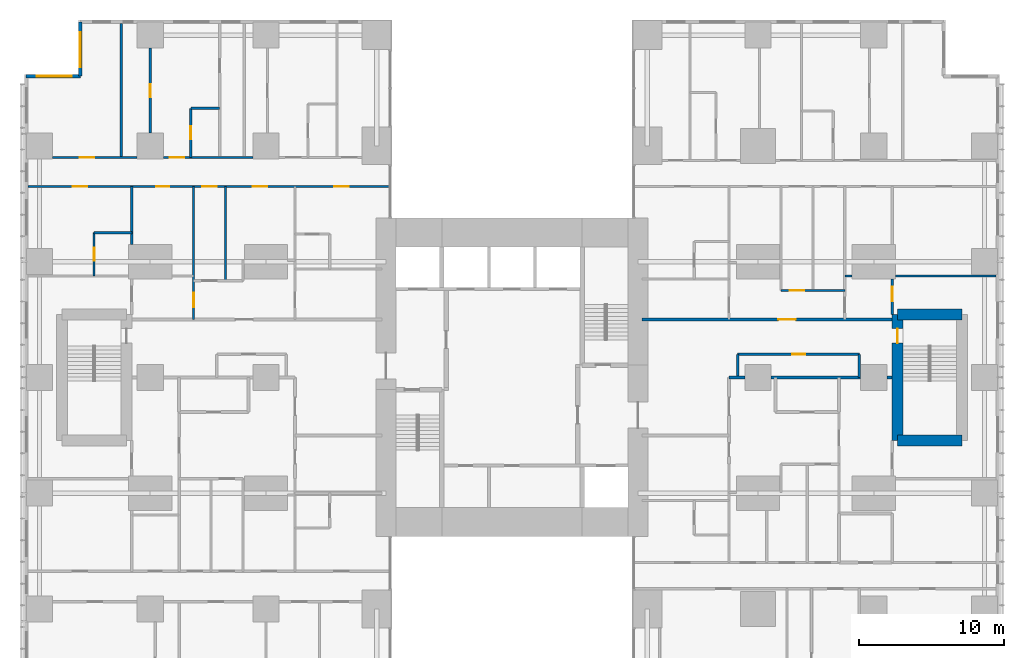
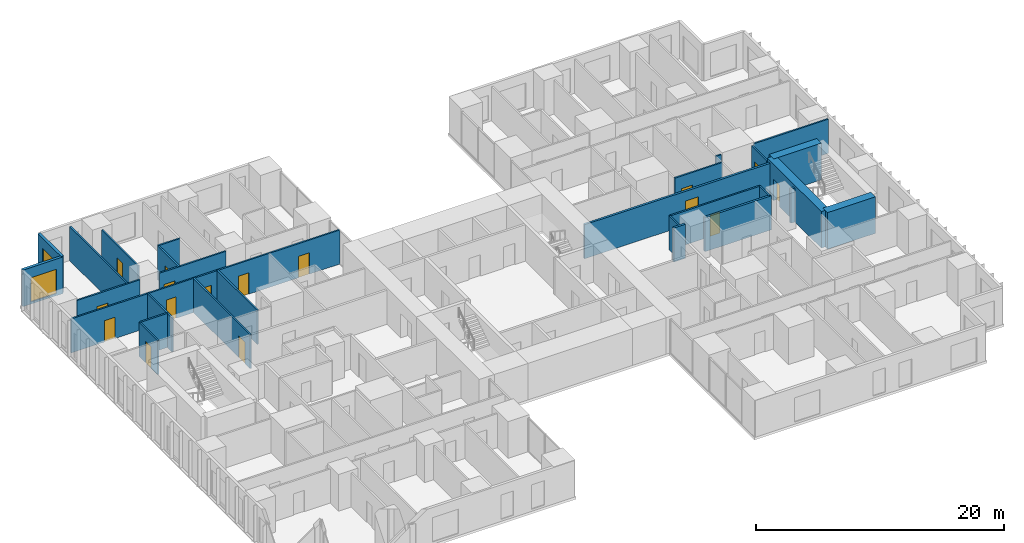
# One storey, part 16 of 20: 28 walls, 16 doors, 2 windows, 18 openings.
"""IFC4 building model written with IfcOpenShell, lengths in metres."""

from ifc_helpers import new_model, si_unit, direction, frame, frame_2d, origin, place, context, subcontext, project, spatial, rectangle, extrude, material, layer, layer_set, type_object, element, fill, save


model = new_model("IFC4")

# Units and contexts
model_context = context("Model", 3, precision=1e-05, world=origin(), true_north=direction((0.0, 1.0)))
body_context = subcontext(model_context, "Body", "Model", "MODEL_VIEW")
ifc_project = project(units=[si_unit("LENGTHUNIT", "METRE"), si_unit("AREAUNIT", "SQUARE_METRE"), si_unit("VOLUMEUNIT", "CUBIC_METRE"), si_unit("PLANEANGLEUNIT", "RADIAN"), si_unit("MASSUNIT", "GRAM", prefix="KILO")], contexts=[model_context])

# Site, building, storey
site_placement = place(None, origin())
site = spatial("IfcSite", under=ifc_project, at=site_placement, CompositionType="ELEMENT")
building_placement = place(site_placement, origin())
building = spatial("IfcBuilding", under=site, at=building_placement, Name="Cleftline Residences", CompositionType="ELEMENT")
storey_placement = place(building_placement, frame((0.0, 0.0, 207.39990234375)))
storey = spatial("IfcBuildingStorey", under=building, at=storey_placement, Name="L54", CompositionType="ELEMENT", Elevation=207.39990234375)

# Wall, opening, window
ifc_material_1 = material(Name="Rendered reinforced concrete blockwork", Category="masonry")
ifc_layer_1 = layer(ifc_material_1, 0.25)
ifc_layer_set_1 = layer_set([ifc_layer_1], Name="EXTERNAL WALL 250")
wall_type_1 = type_object("IfcWallType", Name="EXTERNAL WALL 250", PredefinedType="SOLIDWALL", material=ifc_layer_set_1)
wall_1_placement = place(storey_placement, frame((3.175048828125, 48.574951171875, 0.0), z_axis=(0.0, 0.0, 1.0), x_axis=(0.0, -1.0, 0.0)))
wall_1 = element("IfcWall", 1, at=wall_1_placement, inside=storey, type_object=wall_type_1, Name="External wall", PredefinedType="SOLIDWALL", context=body_context, shape_type="SweptSolid", body=[
    extrude(rectangle(XDim=3.75, YDim=0.25, at=frame_2d((1.875, 0.0))), origin(), (0.0, 0.0, 1.0), 3.60009765625),
])
opening_1_placement = place(wall_1_placement, frame((0.737548828125, 0.0, 0.199951171875)))
opening_1 = element("IfcOpeningElement", 2, at=opening_1_placement, cuts=wall_1, Name="Opening W9", PredefinedType="OPENING", context=body_context, shape_type="SweptSolid", body=[
    extrude(rectangle(XDim=2.39990234375, YDim=2.39990234375, at=frame_2d((1.199951171875, 1.199951171875))), frame((0.0, 0.135009765625, 0.0), z_axis=(0.0, -1.0, 0.0), x_axis=(1.0, 0.0, 0.0)), (0.0, 0.0, 1.0), 0.27001953125),
])
ifc_material_2 = material(Name="Aluminium frame, clear double glazing", Category="aluminium")
window_type = type_object("IfcWindowType", Name="WINDOW 2400X2400", PartitioningType="DOUBLE_PANEL_VERTICAL", PredefinedType="WINDOW", material=ifc_material_2)
window_1_placement = place(opening_1_placement, origin())
window_1 = element("IfcWindow", 3, at=window_1_placement, inside=storey, type_object=window_type, Name="Window", OverallHeight=2.39990234375, OverallWidth=2.39990234375, PartitioningType="SINGLE_PANEL", PredefinedType="WINDOW", context=body_context, shape_type="SweptSolid", body=[
    extrude(rectangle(XDim=2.39990234375, YDim=2.39990234375, at=frame_2d((1.199951171875, 1.199951171875))), frame((0.0, 0.030029296875, 0.0), z_axis=(0.0, -1.0, 0.0), x_axis=(1.0, 0.0, 0.0)), (0.0, 0.0, 1.0), 0.06005859375),
])
fill(opening_1, window_1)

wall_2_placement = place(storey_placement, frame((3.175048828125, 44.824951171875, 0.0), z_axis=(0.0, 0.0, 1.0), x_axis=(-1.0, 0.0, 0.0)))
wall_2 = element("IfcWall", 4, at=wall_2_placement, inside=storey, type_object=wall_type_1, Name="External wall", PredefinedType="SOLIDWALL", context=body_context, shape_type="SweptSolid", body=[
    extrude(rectangle(XDim=3.75, YDim=0.25, at=frame_2d((1.875, 0.0))), origin(), (0.0, 0.0, 1.0), 3.60009765625),
])
opening_2_placement = place(wall_2_placement, frame((0.612548828125, 0.0, 0.199951171875)))
opening_2 = element("IfcOpeningElement", 5, at=opening_2_placement, cuts=wall_2, Name="Opening W9", PredefinedType="OPENING", context=body_context, shape_type="SweptSolid", body=[
    extrude(rectangle(XDim=2.39990234375, YDim=2.39990234375, at=frame_2d((1.199951171875, 1.199951171875))), frame((0.0, 0.135009765625, 0.0), z_axis=(0.0, -1.0, 0.0), x_axis=(1.0, 0.0, 0.0)), (0.0, 0.0, 1.0), 0.27001953125),
])
window_2_placement = place(opening_2_placement, origin())
window_2 = element("IfcWindow", 6, at=window_2_placement, inside=storey, type_object=window_type, Name="Window", OverallHeight=2.39990234375, OverallWidth=2.39990234375, PartitioningType="SINGLE_PANEL", PredefinedType="WINDOW", context=body_context, shape_type="SweptSolid", body=[
    extrude(rectangle(XDim=2.39990234375, YDim=2.39990234375, at=frame_2d((1.199951171875, 1.199951171875))), frame((0.0, 0.030029296875, 0.0), z_axis=(0.0, -1.0, 0.0), x_axis=(1.0, 0.0, 0.0)), (0.0, 0.0, 1.0), 0.06005859375),
])
fill(opening_2, window_2)

# Walls
ifc_material_3 = material(Name="Concrete blockwork, fire rated", Category="masonry")
ifc_layer_2 = layer(ifc_material_3, 0.199951171875)
ifc_layer_set_2 = layer_set([ifc_layer_2], Name="FIRE WALL 200")
wall_type_2 = type_object("IfcWallType", Name="FIRE WALL 200", PredefinedType="PARTITIONING", material=ifc_layer_set_2)
wall_3_placement = place(storey_placement, frame((48.0, 24.0, 0.0), z_axis=(0.0, 0.0, 1.0), x_axis=(1.0, 0.0, 0.0)))
element("IfcWall", 7, at=wall_3_placement, inside=storey, type_object=wall_type_2, Name="Fire separating wall", PredefinedType="PARTITIONING", context=body_context, shape_type="SweptSolid", body=[
    extrude(rectangle(XDim=1.10009765625, YDim=0.199951171875, at=frame_2d((0.550048828125, 0.0))), origin(), (0.0, 0.0, 1.0), 3.35009765625),
])
wall_4_placement = place(storey_placement, frame((50.89990234375, 24.0, 0.0), z_axis=(0.0, 0.0, 1.0), x_axis=(1.0, 0.0, 0.0)))
element("IfcWall", 8, at=wall_4_placement, inside=storey, type_object=wall_type_2, Name="Fire separating wall", PredefinedType="PARTITIONING", context=body_context, shape_type="SweptSolid", body=[
    extrude(rectangle(XDim=6.2001953125, YDim=0.199951171875, at=frame_2d((3.10009765625, 0.0))), origin(), (0.0, 0.0, 1.0), 3.35009765625),
])
wall_5_placement = place(storey_placement, frame((58.89990234375, 24.0, 0.0), z_axis=(0.0, 0.0, 1.0), x_axis=(1.0, 0.0, 0.0)))
element("IfcWall", 9, at=wall_5_placement, inside=storey, type_object=wall_type_2, Name="Fire separating wall", PredefinedType="PARTITIONING", context=body_context, shape_type="SweptSolid", body=[
    extrude(rectangle(XDim=0.375, YDim=0.199951171875, at=frame_2d((0.1875, 0.0))), origin(), (0.0, 0.0, 1.0), 3.35009765625),
])

# Wall, opening, door
wall_6_placement = place(storey_placement, frame((42.0, 28.0, 0.0), z_axis=(0.0, 0.0, 1.0), x_axis=(1.0, 0.0, 0.0)))
wall_6 = element("IfcWall", 10, at=wall_6_placement, inside=storey, type_object=wall_type_2, Name="Fire separating wall", PredefinedType="PARTITIONING", context=body_context, shape_type="SweptSolid", body=[
    extrude(rectangle(XDim=17.27490234375, YDim=0.199951171875, at=frame_2d((8.637451171875, 0.0))), origin(), (0.0, 0.0, 1.0), 3.35009765625),
])
opening_3_placement = place(wall_6_placement, frame((9.39990234375, 0.0, 0.0)))
opening_3 = element("IfcOpeningElement", 11, at=opening_3_placement, cuts=wall_6, Name="Opening D4", PredefinedType="OPENING", context=body_context, shape_type="SweptSolid", body=[
    extrude(rectangle(XDim=1.199951171875, YDim=2.39990234375, at=frame_2d((0.60009765625, 1.199951171875))), frame((0.0, 0.10986328125, 0.0), z_axis=(0.0, -1.0, 0.0), x_axis=(1.0, 0.0, 0.0)), (0.0, 0.0, 1.0), 0.219970703125),
])
ifc_material_4 = material(Name="Timber veneer on solid core", Category="wood")
door_type_1 = type_object("IfcDoorType", Name="APARTMENT ENTRANCE DOOR 1200X2400", OperationType="SINGLE_SWING_RIGHT", PredefinedType="DOOR", material=ifc_material_4)
door_1_placement = place(opening_3_placement, origin())
door_1 = element("IfcDoor", 12, at=door_1_placement, inside=storey, type_object=door_type_1, Name="Door to residence entrance (gallery)", OperationType="SINGLE_SWING_LEFT", OverallHeight=2.39990234375, OverallWidth=1.199951171875, PredefinedType="DOOR", context=body_context, shape_type="SweptSolid", body=[
    extrude(rectangle(XDim=1.199951171875, YDim=2.39990234375, at=frame_2d((0.60009765625, 1.199951171875))), frame((0.0, 0.02490234375, 0.0), z_axis=(0.0, -1.0, 0.0), x_axis=(1.0, 0.0, 0.0)), (0.0, 0.0, 1.0), 0.050048828125),
])
fill(opening_3, door_1)

ifc_material_5 = material(Name="Gypsum board on steel studs", Category="steel")
ifc_layer_3 = layer(ifc_material_5, 0.14990234375)
ifc_layer_set_3 = layer_set([ifc_layer_3], Name="PARTITION 150")
wall_type_3 = type_object("IfcWallType", Name="PARTITION 150", PredefinedType="PARTITIONING", material=ifc_layer_set_3)
wall_7_placement = place(storey_placement, frame((48.60009765625, 25.60009765625, 0.0), z_axis=(0.0, 0.0, 1.0), x_axis=(1.0, 0.0, 0.0)))
wall_7 = element("IfcWall", 13, at=wall_7_placement, inside=storey, type_object=wall_type_3, Name="Partition", PredefinedType="PARTITIONING", context=body_context, shape_type="SweptSolid", body=[
    extrude(rectangle(XDim=8.39990234375, YDim=0.14990234375, at=frame_2d((4.199951171875, 0.0))), origin(), (0.0, 0.0, 1.0), 3.35009765625),
])
opening_4_placement = place(wall_7_placement, frame((3.75, 0.0, 0.0)))
opening_4 = element("IfcOpeningElement", 14, at=opening_4_placement, cuts=wall_7, Name="Opening D1", PredefinedType="OPENING", context=body_context, shape_type="SweptSolid", body=[
    extrude(rectangle(XDim=0.89990234375, YDim=2.10009765625, at=frame_2d((0.449951171875, 1.050048828125))), frame((0.0, 0.0849609375, 0.0), z_axis=(0.0, -1.0, 0.0), x_axis=(1.0, 0.0, 0.0)), (0.0, 0.0, 1.0), 0.169921875),
])
ifc_material_6 = material(Name="Timber veneer on solid core", Category="wood")
door_type_2 = type_object("IfcDoorType", Name="DOOR 900X2100", OperationType="SINGLE_SWING_LEFT", PredefinedType="DOOR", material=ifc_material_6)
door_2_placement = place(opening_4_placement, origin())
door_2 = element("IfcDoor", 15, at=door_2_placement, inside=storey, type_object=door_type_2, Name="Door to residents' locker room", OperationType="SINGLE_SWING_LEFT", OverallHeight=2.10009765625, OverallWidth=0.89990234375, PredefinedType="DOOR", context=body_context, shape_type="SweptSolid", body=[
    extrude(rectangle(XDim=0.89990234375, YDim=2.10009765625, at=frame_2d((0.449951171875, 1.050048828125))), frame((0.0, 0.02490234375, 0.0), z_axis=(0.0, -1.0, 0.0), x_axis=(1.0, 0.0, 0.0)), (0.0, 0.0, 1.0), 0.050048828125),
])
fill(opening_4, door_2)

wall_8_placement = place(storey_placement, frame((51.60009765625, 30.0, 0.0), z_axis=(0.0, 0.0, 1.0), x_axis=(1.0, 0.0, 0.0)))
wall_8 = element("IfcWall", 16, at=wall_8_placement, inside=storey, type_object=wall_type_3, Name="Partition", PredefinedType="PARTITIONING", context=body_context, shape_type="SweptSolid", body=[
    extrude(rectangle(XDim=4.39990234375, YDim=0.14990234375, at=frame_2d((2.199951171875, 0.0))), origin(), (0.0, 0.0, 1.0), 3.35009765625),
])
opening_5_placement = place(wall_8_placement, frame((0.60009765625, 0.0, 0.0)))
opening_5 = element("IfcOpeningElement", 17, at=opening_5_placement, cuts=wall_8, Name="Opening D2", PredefinedType="OPENING", context=body_context, shape_type="SweptSolid", body=[
    extrude(rectangle(XDim=1.0, YDim=2.10009765625, at=frame_2d((0.5, 1.050048828125))), frame((0.0, 0.0849609375, 0.0), z_axis=(0.0, -1.0, 0.0), x_axis=(1.0, 0.0, 0.0)), (0.0, 0.0, 1.0), 0.169921875),
])
ifc_material_7 = material(Name="Timber veneer on solid core", Category="wood")
door_type_3 = type_object("IfcDoorType", Name="DOOR 1000X2100", OperationType="SINGLE_SWING_LEFT", PredefinedType="DOOR", material=ifc_material_7)
door_3_placement = place(opening_5_placement, origin())
door_3 = element("IfcDoor", 18, at=door_3_placement, inside=storey, type_object=door_type_3, Name="Door to residence passage", OperationType="SINGLE_SWING_RIGHT", OverallHeight=2.10009765625, OverallWidth=1.0, PredefinedType="DOOR", context=body_context, shape_type="SweptSolid", body=[
    extrude(rectangle(XDim=1.0, YDim=2.10009765625, at=frame_2d((0.5, 1.050048828125))), frame((0.0, 0.02490234375, 0.0), z_axis=(0.0, -1.0, 0.0), x_axis=(1.0, 0.0, 0.0)), (0.0, 0.0, 1.0), 0.050048828125),
])
fill(opening_5, door_3)

# Walls
wall_9_placement = place(storey_placement, frame((56.0, 31.0, 0.0), z_axis=(0.0, 0.0, 1.0), x_axis=(1.0, 0.0, 0.0)))
element("IfcWall", 19, at=wall_9_placement, inside=storey, type_object=wall_type_3, Name="Partition", PredefinedType="PARTITIONING", context=body_context, shape_type="SweptSolid", body=[
    extrude(rectangle(XDim=0.5, YDim=0.14990234375, at=frame_2d((0.25, 0.0))), origin(), (0.0, 0.0, 1.0), 3.35009765625),
])
wall_10_placement = place(storey_placement, frame((59.5, 31.0, 0.0), z_axis=(0.0, 0.0, 1.0), x_axis=(1.0, 0.0, 0.0)))
element("IfcWall", 20, at=wall_10_placement, inside=storey, type_object=wall_type_3, Name="Partition", PredefinedType="PARTITIONING", context=body_context, shape_type="SweptSolid", body=[
    extrude(rectangle(XDim=6.949951171875, YDim=0.14990234375, at=frame_2d((3.47509765625, 0.0))), origin(), (0.0, 0.0, 1.0), 3.35009765625),
])
wall_11_placement = place(storey_placement, frame((4.125, 34.0, 0.0), z_axis=(0.0, 0.0, 1.0), x_axis=(1.0, 0.0, 0.0)))
element("IfcWall", 21, at=wall_11_placement, inside=storey, type_object=wall_type_3, Name="Partition", PredefinedType="PARTITIONING", context=body_context, shape_type="SweptSolid", body=[
    extrude(rectangle(XDim=2.60009765625, YDim=0.14990234375, at=frame_2d((1.300048828125, 0.0))), origin(), (0.0, 0.0, 1.0), 3.35009765625),
])

# Wall, openings, doors
wall_12_placement = place(storey_placement, frame((-0.449951171875, 37.199951171875, 0.0), z_axis=(0.0, 0.0, 1.0), x_axis=(1.0, 0.0, 0.0)))
wall_12 = element("IfcWall", 22, at=wall_12_placement, inside=storey, type_object=wall_type_3, Name="Partition", PredefinedType="PARTITIONING", context=body_context, shape_type="SweptSolid", body=[
    extrude(rectangle(XDim=25.010986328125, YDim=0.14990234375, at=frame_2d((12.50537109375, 0.0))), origin(), (0.0, 0.0, 1.0), 3.35009765625),
])
opening_6_placement = place(wall_12_placement, frame((12.050048828125, 0.0, 0.0)))
opening_6 = element("IfcOpeningElement", 23, at=opening_6_placement, cuts=wall_12, Name="Opening D2F30", PredefinedType="OPENING", context=body_context, shape_type="SweptSolid", body=[
    extrude(rectangle(XDim=1.0, YDim=2.10009765625, at=frame_2d((0.5, 1.050048828125))), frame((0.0, 0.0849609375, 0.0), z_axis=(0.0, -1.0, 0.0), x_axis=(1.0, 0.0, 0.0)), (0.0, 0.0, 1.0), 0.169921875),
])
opening_7_placement = place(wall_12_placement, frame((3.08740234375, 0.0, 0.0)))
opening_7 = element("IfcOpeningElement", 24, at=opening_7_placement, cuts=wall_12, Name="Opening D2F30", PredefinedType="OPENING", context=body_context, shape_type="SweptSolid", body=[
    extrude(rectangle(XDim=1.0, YDim=2.10009765625, at=frame_2d((0.5, 1.050048828125))), frame((0.0, 0.0849609375, 0.0), z_axis=(0.0, -1.0, 0.0), x_axis=(1.0, 0.0, 0.0)), (0.0, 0.0, 1.0), 0.169921875),
])
opening_8_placement = place(wall_12_placement, frame((8.862548828125, 0.0, 0.0)))
opening_8 = element("IfcOpeningElement", 25, at=opening_8_placement, cuts=wall_12, Name="Opening D1F30", PredefinedType="OPENING", context=body_context, shape_type="SweptSolid", body=[
    extrude(rectangle(XDim=0.89990234375, YDim=2.10009765625, at=frame_2d((0.449951171875, 1.050048828125))), frame((0.0, 0.0849609375, 0.0), z_axis=(0.0, -1.0, 0.0), x_axis=(1.0, 0.0, 0.0)), (0.0, 0.0, 1.0), 0.169921875),
])
opening_9_placement = place(wall_12_placement, frame((15.550048828125, 0.0, 0.0)))
opening_9 = element("IfcOpeningElement", 26, at=opening_9_placement, cuts=wall_12, Name="Opening D2F30", PredefinedType="OPENING", context=body_context, shape_type="SweptSolid", body=[
    extrude(rectangle(XDim=1.0, YDim=2.10009765625, at=frame_2d((0.5, 1.050048828125))), frame((0.0, 0.0849609375, 0.0), z_axis=(0.0, -1.0, 0.0), x_axis=(1.0, 0.0, 0.0)), (0.0, 0.0, 1.0), 0.169921875),
])
opening_10_placement = place(wall_12_placement, frame((21.175048828125, 0.0, 0.0)))
opening_10 = element("IfcOpeningElement", 27, at=opening_10_placement, cuts=wall_12, Name="Opening D2F30", PredefinedType="OPENING", context=body_context, shape_type="SweptSolid", body=[
    extrude(rectangle(XDim=1.0, YDim=2.10009765625, at=frame_2d((0.5, 1.050048828125))), frame((0.0, 0.0849609375, 0.0), z_axis=(0.0, -1.0, 0.0), x_axis=(1.0, 0.0, 0.0)), (0.0, 0.0, 1.0), 0.169921875),
])
ifc_material_8 = material(Name="Timber veneer on solid core", Category="wood")
door_type_4 = type_object("IfcDoorType", Name="DOOR 1000X2100 EI 30", OperationType="SINGLE_SWING_LEFT", PredefinedType="DOOR", material=ifc_material_8)
door_4_placement = place(opening_6_placement, origin())
door_4 = element("IfcDoor", 28, at=door_4_placement, inside=storey, type_object=door_type_4, Name="Door to residence corridor (bedrooms)", OperationType="SINGLE_SWING_LEFT", OverallHeight=2.10009765625, OverallWidth=1.0, PredefinedType="DOOR", context=body_context, shape_type="SweptSolid", body=[
    extrude(rectangle(XDim=1.0, YDim=2.10009765625, at=frame_2d((0.5, 1.050048828125))), frame((0.0, 0.02490234375, 0.0), z_axis=(0.0, -1.0, 0.0), x_axis=(1.0, 0.0, 0.0)), (0.0, 0.0, 1.0), 0.050048828125),
])
fill(opening_6, door_4)
door_5_placement = place(opening_7_placement, origin())
door_5 = element("IfcDoor", 29, at=door_5_placement, inside=storey, type_object=door_type_4, Name="Door to master bedroom", OperationType="SINGLE_SWING_RIGHT", OverallHeight=2.10009765625, OverallWidth=1.0, PredefinedType="DOOR", context=body_context, shape_type="SweptSolid", body=[
    extrude(rectangle(XDim=1.0, YDim=2.10009765625, at=frame_2d((0.5, 1.050048828125))), frame((0.0, 0.02490234375, 0.0), z_axis=(0.0, -1.0, 0.0), x_axis=(1.0, 0.0, 0.0)), (0.0, 0.0, 1.0), 0.050048828125),
])
fill(opening_7, door_5)
door_6_placement = place(opening_9_placement, origin())
door_6 = element("IfcDoor", 30, at=door_6_placement, inside=storey, type_object=door_type_4, Name="Door to family room", OperationType="SINGLE_SWING_LEFT", OverallHeight=2.10009765625, OverallWidth=1.0, PredefinedType="DOOR", context=body_context, shape_type="SweptSolid", body=[
    extrude(rectangle(XDim=1.0, YDim=2.10009765625, at=frame_2d((0.5, 1.050048828125))), frame((0.0, 0.02490234375, 0.0), z_axis=(0.0, -1.0, 0.0), x_axis=(1.0, 0.0, 0.0)), (0.0, 0.0, 1.0), 0.050048828125),
])
fill(opening_9, door_6)
door_7_placement = place(opening_10_placement, origin())
door_7 = element("IfcDoor", 31, at=door_7_placement, inside=storey, type_object=door_type_4, Name="Door to staff bedroom", OperationType="SINGLE_SWING_LEFT", OverallHeight=2.10009765625, OverallWidth=1.0, PredefinedType="DOOR", context=body_context, shape_type="SweptSolid", body=[
    extrude(rectangle(XDim=1.0, YDim=2.10009765625, at=frame_2d((0.5, 1.050048828125))), frame((0.0, 0.02490234375, 0.0), z_axis=(0.0, -1.0, 0.0), x_axis=(1.0, 0.0, 0.0)), (0.0, 0.0, 1.0), 0.050048828125),
])
fill(opening_10, door_7)
ifc_material_9 = material(Name="Timber veneer on solid core", Category="wood")
door_type_5 = type_object("IfcDoorType", Name="DOOR 900X2100 EI 30", OperationType="SINGLE_SWING_LEFT", PredefinedType="DOOR", material=ifc_material_9)
door_8_placement = place(opening_8_placement, origin())
door_8 = element("IfcDoor", 32, at=door_8_placement, inside=storey, type_object=door_type_5, Name="Door to guest bathroom", OperationType="SINGLE_SWING_RIGHT", OverallHeight=2.10009765625, OverallWidth=0.89990234375, PredefinedType="DOOR", context=body_context, shape_type="SweptSolid", body=[
    extrude(rectangle(XDim=0.89990234375, YDim=2.10009765625, at=frame_2d((0.449951171875, 1.050048828125))), frame((0.0, 0.02490234375, 0.0), z_axis=(0.0, -1.0, 0.0), x_axis=(1.0, 0.0, 0.0)), (0.0, 0.0, 1.0), 0.050048828125),
])
fill(opening_8, door_8)

# Wall, opening, door
wall_13_placement = place(storey_placement, frame((1.25, 39.199951171875, 0.0), z_axis=(0.0, 0.0, 1.0), x_axis=(1.0, 0.0, 0.0)))
wall_13 = element("IfcWall", 33, at=wall_13_placement, inside=storey, type_object=wall_type_3, Name="Partition", PredefinedType="PARTITIONING", context=body_context, shape_type="SweptSolid", body=[
    extrude(rectangle(XDim=5.85009765625, YDim=0.14990234375, at=frame_2d((2.925048828125, 0.0))), origin(), (0.0, 0.0, 1.0), 3.35009765625),
])
opening_11_placement = place(wall_13_placement, frame((1.875, 0.0, 0.0)))
opening_11 = element("IfcOpeningElement", 34, at=opening_11_placement, cuts=wall_13, Name="Opening D2", PredefinedType="OPENING", context=body_context, shape_type="SweptSolid", body=[
    extrude(rectangle(XDim=1.0, YDim=2.10009765625, at=frame_2d((0.5, 1.050048828125))), frame((0.0, 0.0849609375, 0.0), z_axis=(0.0, -1.0, 0.0), x_axis=(1.0, 0.0, 0.0)), (0.0, 0.0, 1.0), 0.169921875),
])
door_9_placement = place(opening_11_placement, origin())
door_9 = element("IfcDoor", 35, at=door_9_placement, inside=storey, type_object=door_type_3, Name="Door to gym", OperationType="SINGLE_SWING_RIGHT", OverallHeight=2.10009765625, OverallWidth=1.0, PredefinedType="DOOR", context=body_context, shape_type="SweptSolid", body=[
    extrude(rectangle(XDim=1.0, YDim=2.10009765625, at=frame_2d((0.5, 1.050048828125))), frame((0.0, 0.02490234375, 0.0), z_axis=(0.0, -1.0, 0.0), x_axis=(1.0, 0.0, 0.0)), (0.0, 0.0, 1.0), 0.050048828125),
])
fill(opening_11, door_9)

wall_14_placement = place(storey_placement, frame((8.89990234375, 39.199951171875, 0.0), z_axis=(0.0, 0.0, 1.0), x_axis=(1.0, 0.0, 0.0)))
wall_14 = element("IfcWall", 36, at=wall_14_placement, inside=storey, type_object=wall_type_3, Name="Partition", PredefinedType="PARTITIONING", context=body_context, shape_type="SweptSolid", body=[
    extrude(rectangle(XDim=6.2001953125, YDim=0.14990234375, at=frame_2d((3.10009765625, 0.0))), origin(), (0.0, 0.0, 1.0), 3.35009765625),
])
opening_12_placement = place(wall_14_placement, frame((0.449951171875, 0.0, 0.0)))
opening_12 = element("IfcOpeningElement", 37, at=opening_12_placement, cuts=wall_14, Name="Opening D2", PredefinedType="OPENING", context=body_context, shape_type="SweptSolid", body=[
    extrude(rectangle(XDim=1.0, YDim=2.10009765625, at=frame_2d((0.5, 1.050048828125))), frame((0.0, 0.0849609375, 0.0), z_axis=(0.0, -1.0, 0.0), x_axis=(1.0, 0.0, 0.0)), (0.0, 0.0, 1.0), 0.169921875),
])
door_10_placement = place(opening_12_placement, origin())
door_10 = element("IfcDoor", 38, at=door_10_placement, inside=storey, type_object=door_type_3, Name="Door to bedroom 2", OperationType="SINGLE_SWING_RIGHT", OverallHeight=2.10009765625, OverallWidth=1.0, PredefinedType="DOOR", context=body_context, shape_type="SweptSolid", body=[
    extrude(rectangle(XDim=1.0, YDim=2.10009765625, at=frame_2d((0.5, 1.050048828125))), frame((0.0, 0.02490234375, 0.0), z_axis=(0.0, -1.0, 0.0), x_axis=(1.0, 0.0, 0.0)), (0.0, 0.0, 1.0), 0.050048828125),
])
fill(opening_12, door_10)

# Wall
wall_15_placement = place(storey_placement, frame((10.800048828125, 42.60009765625, 0.0), z_axis=(0.0, 0.0, 1.0), x_axis=(1.0, 0.0, 0.0)))
element("IfcWall", 39, at=wall_15_placement, inside=storey, type_object=wall_type_3, Name="Partition", PredefinedType="PARTITIONING", context=body_context, shape_type="SweptSolid", body=[
    extrude(rectangle(XDim=2.0, YDim=0.14990234375, at=frame_2d((1.0, 0.0))), origin(), (0.0, 0.0, 1.0), 3.35009765625),
])

# Wall, opening, door
wall_16_placement = place(storey_placement, frame((4.125, 31.0, 0.0), z_axis=(0.0, 0.0, 1.0), x_axis=(0.0, 1.0, 0.0)))
wall_16 = element("IfcWall", 40, at=wall_16_placement, inside=storey, type_object=wall_type_3, Name="Partition", PredefinedType="PARTITIONING", context=body_context, shape_type="SweptSolid", body=[
    extrude(rectangle(XDim=3.0, YDim=0.14990234375, at=frame_2d((1.5, 0.0))), origin(), (0.0, 0.0, 1.0), 3.35009765625),
])
opening_13_placement = place(wall_16_placement, frame((1.050048828125, 0.0, 0.0)))
opening_13 = element("IfcOpeningElement", 41, at=opening_13_placement, cuts=wall_16, Name="Opening D1", PredefinedType="OPENING", context=body_context, shape_type="SweptSolid", body=[
    extrude(rectangle(XDim=0.89990234375, YDim=2.10009765625, at=frame_2d((0.449951171875, 1.050048828125))), frame((0.0, 0.0849609375, 0.0), z_axis=(0.0, -1.0, 0.0), x_axis=(1.0, 0.0, 0.0)), (0.0, 0.0, 1.0), 0.169921875),
])
door_11_placement = place(opening_13_placement, origin())
door_11 = element("IfcDoor", 42, at=door_11_placement, inside=storey, type_object=door_type_2, Name="Door to master bathroom", OperationType="SINGLE_SWING_LEFT", OverallHeight=2.10009765625, OverallWidth=0.89990234375, PredefinedType="DOOR", context=body_context, shape_type="SweptSolid", body=[
    extrude(rectangle(XDim=0.89990234375, YDim=2.10009765625, at=frame_2d((0.449951171875, 1.050048828125))), frame((0.0, 0.02490234375, 0.0), z_axis=(0.0, -1.0, 0.0), x_axis=(1.0, 0.0, 0.0)), (0.0, 0.0, 1.0), 0.050048828125),
])
fill(opening_13, door_11)

# Walls
wall_17_placement = place(storey_placement, frame((6.0, 39.199951171875, 0.0), z_axis=(0.0, 0.0, 1.0), x_axis=(0.0, 1.0, 0.0)))
element("IfcWall", 43, at=wall_17_placement, inside=storey, type_object=wall_type_3, Name="Partition", PredefinedType="PARTITIONING", context=body_context, shape_type="SweptSolid", body=[
    extrude(rectangle(XDim=9.25, YDim=0.14990234375, at=frame_2d((4.625, 0.0))), origin(), (0.0, 0.0, 1.0), 3.35009765625),
])
wall_18_placement = place(storey_placement, frame((6.72509765625, 33.199951171875, 0.0), z_axis=(0.0, 0.0, 1.0), x_axis=(0.0, 1.0, 0.0)))
element("IfcWall", 44, at=wall_18_placement, inside=storey, type_object=wall_type_3, Name="Partition", PredefinedType="PARTITIONING", context=body_context, shape_type="SweptSolid", body=[
    extrude(rectangle(XDim=4.0, YDim=0.14990234375, at=frame_2d((2.0, 0.0))), origin(), (0.0, 0.0, 1.0), 3.35009765625),
])

# Wall, opening, door
wall_19_placement = place(storey_placement, frame((8.0, 40.89990234375, 0.0), z_axis=(0.0, 0.0, 1.0), x_axis=(0.0, 1.0, 0.0)))
wall_19 = element("IfcWall", 45, at=wall_19_placement, inside=storey, type_object=wall_type_3, Name="Partition", PredefinedType="PARTITIONING", context=body_context, shape_type="SweptSolid", body=[
    extrude(rectangle(XDim=5.85009765625, YDim=0.14990234375, at=frame_2d((2.925048828125, 0.0))), origin(), (0.0, 0.0, 1.0), 3.35009765625),
])
opening_14_placement = place(wall_19_placement, frame((2.47509765625, 0.0, 0.0)))
opening_14 = element("IfcOpeningElement", 46, at=opening_14_placement, cuts=wall_19, Name="Opening D1", PredefinedType="OPENING", context=body_context, shape_type="SweptSolid", body=[
    extrude(rectangle(XDim=0.89990234375, YDim=2.10009765625, at=frame_2d((0.449951171875, 1.050048828125))), frame((0.0, 0.0849609375, 0.0), z_axis=(0.0, -1.0, 0.0), x_axis=(1.0, 0.0, 0.0)), (0.0, 0.0, 1.0), 0.169921875),
])
door_12_placement = place(opening_14_placement, origin())
door_12 = element("IfcDoor", 47, at=door_12_placement, inside=storey, type_object=door_type_2, Name="Door to walk-in wardrobe", OperationType="SINGLE_SWING_LEFT", OverallHeight=2.10009765625, OverallWidth=0.89990234375, PredefinedType="DOOR", context=body_context, shape_type="SweptSolid", body=[
    extrude(rectangle(XDim=0.89990234375, YDim=2.10009765625, at=frame_2d((0.449951171875, 1.050048828125))), frame((0.0, 0.02490234375, 0.0), z_axis=(0.0, -1.0, 0.0), x_axis=(1.0, 0.0, 0.0)), (0.0, 0.0, 1.0), 0.050048828125),
])
fill(opening_14, door_12)

wall_20_placement = place(storey_placement, frame((10.800048828125, 39.199951171875, 0.0), z_axis=(0.0, 0.0, 1.0), x_axis=(0.0, 1.0, 0.0)))
wall_20 = element("IfcWall", 48, at=wall_20_placement, inside=storey, type_object=wall_type_3, Name="Partition", PredefinedType="PARTITIONING", context=body_context, shape_type="SweptSolid", body=[
    extrude(rectangle(XDim=3.400146484375, YDim=0.14990234375, at=frame_2d((1.7001953125, 0.0))), origin(), (0.0, 0.0, 1.0), 3.35009765625),
])
opening_15_placement = place(wall_20_placement, frame((1.25, 0.0, 0.0)))
opening_15 = element("IfcOpeningElement", 49, at=opening_15_placement, cuts=wall_20, Name="Opening D1", PredefinedType="OPENING", context=body_context, shape_type="SweptSolid", body=[
    extrude(rectangle(XDim=0.89990234375, YDim=2.10009765625, at=frame_2d((0.449951171875, 1.050048828125))), frame((0.0, 0.0849609375, 0.0), z_axis=(0.0, -1.0, 0.0), x_axis=(1.0, 0.0, 0.0)), (0.0, 0.0, 1.0), 0.169921875),
])
door_13_placement = place(opening_15_placement, origin())
door_13 = element("IfcDoor", 50, at=door_13_placement, inside=storey, type_object=door_type_2, Name="Door to en-suite bathroom 2", OperationType="SINGLE_SWING_LEFT", OverallHeight=2.10009765625, OverallWidth=0.89990234375, PredefinedType="DOOR", context=body_context, shape_type="SweptSolid", body=[
    extrude(rectangle(XDim=0.89990234375, YDim=2.10009765625, at=frame_2d((0.449951171875, 1.050048828125))), frame((0.0, 0.02490234375, 0.0), z_axis=(0.0, -1.0, 0.0), x_axis=(1.0, 0.0, 0.0)), (0.0, 0.0, 1.0), 0.050048828125),
])
fill(opening_15, door_13)

wall_21_placement = place(storey_placement, frame((11.0, 28.0, 0.0), z_axis=(0.0, 0.0, 1.0), x_axis=(0.0, 1.0, 0.0)))
wall_21 = element("IfcWall", 51, at=wall_21_placement, inside=storey, type_object=wall_type_3, Name="Partition", PredefinedType="PARTITIONING", context=body_context, shape_type="SweptSolid", body=[
    extrude(rectangle(XDim=9.199951171875, YDim=0.14990234375, at=frame_2d((4.60009765625, 0.0))), origin(), (0.0, 0.0, 1.0), 3.35009765625),
])
opening_16_placement = place(wall_21_placement, frame((0.83740234375, 0.0, 0.0)))
opening_16 = element("IfcOpeningElement", 52, at=opening_16_placement, cuts=wall_21, Name="Opening D2F30", PredefinedType="OPENING", context=body_context, shape_type="SweptSolid", body=[
    extrude(rectangle(XDim=1.0, YDim=2.10009765625, at=frame_2d((0.5, 1.050048828125))), frame((0.0, 0.0849609375, 0.0), z_axis=(0.0, -1.0, 0.0), x_axis=(1.0, 0.0, 0.0)), (0.0, 0.0, 1.0), 0.169921875),
])
door_14_placement = place(opening_16_placement, origin())
door_14 = element("IfcDoor", 53, at=door_14_placement, inside=storey, type_object=door_type_4, Name="Door to residence lobby (service)", OperationType="SINGLE_SWING_RIGHT", OverallHeight=2.10009765625, OverallWidth=1.0, PredefinedType="DOOR", context=body_context, shape_type="SweptSolid", body=[
    extrude(rectangle(XDim=1.0, YDim=2.10009765625, at=frame_2d((0.5, 1.050048828125))), frame((0.0, 0.02490234375, 0.0), z_axis=(0.0, -1.0, 0.0), x_axis=(1.0, 0.0, 0.0)), (0.0, 0.0, 1.0), 0.050048828125),
])
fill(opening_16, door_14)

# Walls
wall_22_placement = place(storey_placement, frame((13.199951171875, 30.675048828125, 0.0), z_axis=(0.0, 0.0, 1.0), x_axis=(0.0, 1.0, 0.0)))
element("IfcWall", 54, at=wall_22_placement, inside=storey, type_object=wall_type_3, Name="Partition", PredefinedType="PARTITIONING", context=body_context, shape_type="SweptSolid", body=[
    extrude(rectangle(XDim=6.52490234375, YDim=0.14990234375, at=frame_2d((3.262451171875, 0.0))), origin(), (0.0, 0.0, 1.0), 3.35009765625),
])
for number, where, z_axis, x_axis, name in (
    (55, (48.60009765625, 24.0, 0.0), (0.0, 0.0, 1.0), (0.0, 1.0, 0.0), "Partition"),
    (56, (57.0, 24.0, 0.0), (0.0, 0.0, 1.0), (0.0, 1.0, 0.0), "Partition"),
):
    element("IfcWall", number, at=place(storey_placement, frame(where, z_axis=z_axis, x_axis=x_axis)), inside=storey, type_object=wall_type_3, Name=name, PredefinedType="PARTITIONING", context=body_context, shape_type="SweptSolid", body=[
        extrude(rectangle(XDim=1.60009765625, YDim=0.14990234375, at=frame_2d((0.800048828125, 0.0))), origin(), (0.0, 0.0, 1.0), 3.35009765625),
    ])

# Wall, opening, door
wall_23_placement = place(storey_placement, frame((59.27490234375, 28.35009765625, 0.0), z_axis=(0.0, 0.0, 1.0), x_axis=(0.0, 1.0, 0.0)))
wall_23 = element("IfcWall", 57, at=wall_23_placement, inside=storey, type_object=wall_type_3, Name="Partition", PredefinedType="PARTITIONING", context=body_context, shape_type="SweptSolid", body=[
    extrude(rectangle(XDim=2.449951171875, YDim=0.14990234375, at=frame_2d((1.22509765625, 0.0))), origin(), (0.0, 0.0, 1.0), 3.35009765625),
])
opening_17_placement = place(wall_23_placement, frame((0.91259765625, 0.0, 0.0)))
opening_17 = element("IfcOpeningElement", 58, at=opening_17_placement, cuts=wall_23, Name="Opening D2", PredefinedType="OPENING", context=body_context, shape_type="SweptSolid", body=[
    extrude(rectangle(XDim=1.0, YDim=2.10009765625, at=frame_2d((0.5, 1.050048828125))), frame((0.0, 0.0849609375, 0.0), z_axis=(0.0, -1.0, 0.0), x_axis=(1.0, 0.0, 0.0)), (0.0, 0.0, 1.0), 0.169921875),
])
door_15_placement = place(opening_17_placement, origin())
door_15 = element("IfcDoor", 59, at=door_15_placement, inside=storey, type_object=door_type_3, Name="Door to altar room", OperationType="SINGLE_SWING_LEFT", OverallHeight=2.10009765625, OverallWidth=1.0, PredefinedType="DOOR", context=body_context, shape_type="SweptSolid", body=[
    extrude(rectangle(XDim=1.0, YDim=2.10009765625, at=frame_2d((0.5, 1.050048828125))), frame((0.0, 0.02490234375, 0.0), z_axis=(0.0, -1.0, 0.0), x_axis=(1.0, 0.0, 0.0)), (0.0, 0.0, 1.0), 0.050048828125),
])
fill(opening_17, door_15)

# Walls
ifc_material_10 = material(Name="Concrete B70", Category="concrete")
ifc_layer_4 = layer(ifc_material_10, 0.75)
ifc_layer_set_4 = layer_set([ifc_layer_4], Name="SHEAR WALL 750")
wall_type_4 = type_object("IfcWallType", Name="SHEAR WALL 750", PredefinedType="SHEAR", material=ifc_layer_set_4)
for number, where, z_axis, x_axis, name in (
    (60, (59.64990234375, 19.64990234375, 0.0), (0.0, 0.0, 1.0), (1.0, 0.0, 0.0), "Wing shear wall"),
    (61, (64.10009765625, 28.35009765625, 0.0), (0.0, 0.0, 1.0), (-1.0, 0.0, 0.0), "Wing shear wall"),
):
    element("IfcWall", number, at=place(storey_placement, frame(where, z_axis=z_axis, x_axis=x_axis)), inside=storey, type_object=wall_type_4, Name=name, PredefinedType="SHEAR", context=body_context, shape_type="SweptSolid", body=[
        extrude(rectangle(XDim=4.4501953125, YDim=0.75, at=frame_2d((2.22509765625, 0.0))), origin(), (0.0, 0.0, 1.0), 3.60009765625),
    ])

# Wall, opening, door
wall_24_placement = place(storey_placement, frame((59.64990234375, 28.35009765625, 0.0), z_axis=(0.0, 0.0, 1.0), x_axis=(0.0, -1.0, 0.0)))
wall_24 = element("IfcWall", 62, at=wall_24_placement, inside=storey, type_object=wall_type_4, Name="Wing shear wall", PredefinedType="SHEAR", context=body_context, shape_type="SweptSolid", body=[
    extrude(rectangle(XDim=8.7001953125, YDim=0.75, at=frame_2d((4.35009765625, 0.0))), origin(), (0.0, 0.0, 1.0), 3.60009765625),
])
opening_18_placement = place(wall_24_placement, frame((0.97509765625, 0.0, 0.0)))
opening_18 = element("IfcOpeningElement", 63, at=opening_18_placement, cuts=wall_24, Name="Opening D5", PredefinedType="OPENING", context=body_context, shape_type="SweptSolid", body=[
    extrude(rectangle(XDim=1.0, YDim=2.10009765625, at=frame_2d((0.5, 1.050048828125))), frame((0.0, 0.385009765625, 0.0), z_axis=(0.0, -1.0, 0.0), x_axis=(1.0, 0.0, 0.0)), (0.0, 0.0, 1.0), 0.77001953125),
])
ifc_material_11 = material(Name="Steel", Category="steel")
door_type_6 = type_object("IfcDoorType", Name="STAIR DOOR 1000X2100", OperationType="SINGLE_SWING_LEFT", PredefinedType="DOOR", material=ifc_material_11)
door_16_placement = place(opening_18_placement, origin())
door_16 = element("IfcDoor", 64, at=door_16_placement, inside=storey, type_object=door_type_6, Name="Stair E door", OperationType="SINGLE_SWING_RIGHT", OverallHeight=2.10009765625, OverallWidth=1.0, PredefinedType="DOOR", context=body_context, shape_type="SweptSolid", body=[
    extrude(rectangle(XDim=1.0, YDim=2.10009765625, at=frame_2d((0.5, 1.050048828125))), frame((0.0, 0.02490234375, 0.0), z_axis=(0.0, -1.0, 0.0), x_axis=(1.0, 0.0, 0.0)), (0.0, 0.0, 1.0), 0.050048828125),
])
fill(opening_18, door_16)

save(model, "model.ifc")
